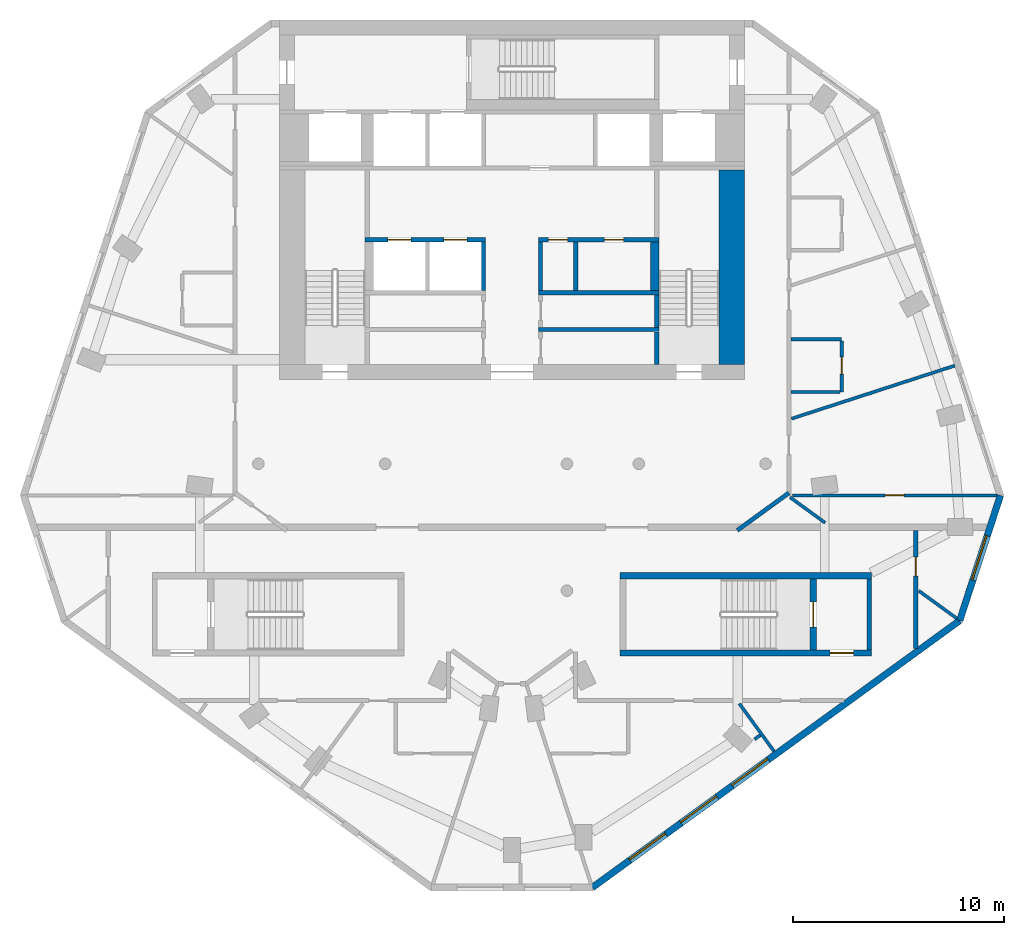
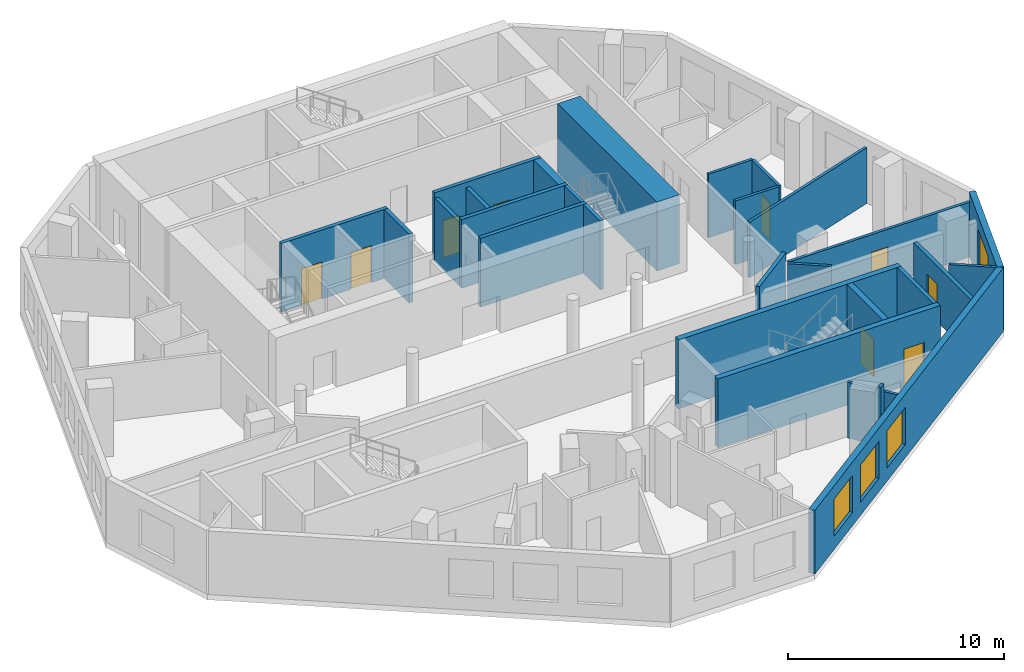
# One storey, part 4 of 8: 28 walls, 9 doors, 4 windows, 13 openings.
"""IFC4 building model written with IfcOpenShell, lengths in metres."""

from ifc_helpers import new_model, si_unit, direction, frame, frame_2d, origin, place, context, subcontext, project, spatial, rectangle, extrude, material, layer, layer_set, type_object, element, fill, save


model = new_model("IFC4")

# Units and contexts
model_context = context("Model", 3, precision=1e-05, world=origin(), true_north=direction((0.0, 1.0)))
body_context = subcontext(model_context, "Body", "Model", "MODEL_VIEW")
ifc_project = project(units=[si_unit("LENGTHUNIT", "METRE"), si_unit("AREAUNIT", "SQUARE_METRE"), si_unit("VOLUMEUNIT", "CUBIC_METRE"), si_unit("PLANEANGLEUNIT", "RADIAN"), si_unit("MASSUNIT", "GRAM", prefix="KILO")], contexts=[model_context])

# Site, building, storey
site_placement = place(None, origin())
site = spatial("IfcSite", under=ifc_project, at=site_placement, CompositionType="ELEMENT")
building_placement = place(site_placement, origin())
building = spatial("IfcBuilding", under=site, at=building_placement, Name="White Candle Pilgrim Tower", CompositionType="ELEMENT")
storey_placement = place(building_placement, frame((0.0, 0.0, 279.5)))
storey = spatial("IfcBuildingStorey", under=building, at=storey_placement, Name="L66", CompositionType="ELEMENT", Elevation=279.5)

# Walls
ifc_material_1 = material(Name="Concrete C50/60", Category="concrete")
ifc_layer_1 = layer(ifc_material_1, 0.199951171875)
ifc_layer_set_1 = layer_set([ifc_layer_1], Name="Core wall 200 mm Concrete C50/60")
wall_type_1 = type_object("IfcWallType", Name="Core wall 200 mm Concrete C50/60", PredefinedType="SHEAR", material=ifc_layer_set_1)
wall_1_placement = place(storey_placement, frame((86.89990234375, 58.199951171875, 0.0), z_axis=(0.0, 0.0, 1.0), x_axis=(0.0, 1.0, 0.0)))
element("IfcWall", 1, at=wall_1_placement, inside=storey, type_object=wall_type_1, Name="WL-L66-C08", PredefinedType="SHEAR", context=body_context, shape_type="SweptSolid", body=[
    extrude(rectangle(XDim=3.35009765625, YDim=0.199951171875, at=frame_2d((1.675048828125, 0.0))), origin(), (0.0, 0.0, 1.0), 3.89990234375),
])
ifc_material_2 = material(Name="Gypsum board on steel studs", Category="steel")
ifc_layer_2 = layer(ifc_material_2, 0.199951171875)
ifc_layer_set_2 = layer_set([ifc_layer_2], Name="Corridor wall 200 mm EI 45")
wall_type_2 = type_object("IfcWallType", Name="Corridor wall 200 mm EI 45", PredefinedType="PARTITIONING", material=ifc_layer_set_2)
wall_2_placement = place(storey_placement, frame((83.10009765625, 65.624267578125, 0.0), z_axis=(0.0, 0.0, 1.0), x_axis=(-0.809040258859, -0.587753230144, 0.0)))
element("IfcWall", 2, at=wall_2_placement, inside=storey, type_object=wall_type_2, Name="WL-L66-P005", PredefinedType="PARTITIONING", context=body_context, shape_type="SweptSolid", body=[
    extrude(rectangle(XDim=3.0185546875, YDim=0.199951171875, at=frame_2d((1.50927734375, 0.0))), origin(), (0.0, 0.0, 1.0), 3.60009765625),
])

# Wall, opening, door
wall_3_placement = place(storey_placement, frame((89.10009765625, 63.85009765625, 0.0), z_axis=(0.0, 0.0, 1.0), x_axis=(0.0, -1.0, 0.0)))
wall_3 = element("IfcWall", 3, at=wall_3_placement, inside=storey, type_object=wall_type_2, Name="WL-L66-P006", PredefinedType="PARTITIONING", context=body_context, shape_type="SweptSolid", body=[
    extrude(rectangle(XDim=5.58447265625, YDim=0.199951171875, at=frame_2d((2.792236328125, 0.0))), origin(), (0.0, 0.0, 1.0), 3.14990234375),
])
opening_1_placement = place(wall_3_placement, frame((1.264892578125, 0.0, 0.0)))
opening_1 = element("IfcOpeningElement", 4, at=opening_1_placement, cuts=wall_3, Name="Opening T20-122", PredefinedType="OPENING", context=body_context, shape_type="SweptSolid", body=[
    extrude(rectangle(XDim=0.89990234375, YDim=2.10009765625, at=frame_2d((0.449951171875, 1.050048828125))), frame((0.0, 0.10986328125, 0.0), z_axis=(0.0, -1.0, 0.0), x_axis=(1.0, 0.0, 0.0)), (0.0, 0.0, 1.0), 0.219970703125),
])
ifc_material_3 = material(Name="Steel door leaf", Category="steel")
door_type_1 = type_object("IfcDoorType", Name="Fire door 900 x 2100 EI 30", OperationType="NOTDEFINED", PredefinedType="DOOR", material=ifc_material_3)
door_1_placement = place(opening_1_placement, origin())
door_1 = element("IfcDoor", 5, at=door_1_placement, inside=storey, type_object=door_type_1, Name="Door T20-122", OperationType="SINGLE_SWING_RIGHT", OverallHeight=2.10009765625, OverallWidth=0.89990234375, PredefinedType="DOOR", context=body_context, shape_type="SweptSolid", body=[
    extrude(rectangle(XDim=0.89990234375, YDim=2.10009765625, at=frame_2d((0.449951171875, 1.050048828125))), frame((0.0, 0.02490234375, 0.0), z_axis=(0.0, -1.0, 0.0), x_axis=(1.0, 0.0, 0.0)), (0.0, 0.0, 1.0), 0.050048828125),
])
fill(opening_1, door_1)

# Wall, openings, windows
ifc_material_4 = material(Name="Precast concrete C40/50", Category="concrete")
ifc_layer_3 = layer(ifc_material_4, 0.320068359375)
ifc_layer_set_3 = layer_set([ifc_layer_3], Name="Facade wall EW1 precast concrete C40/50 pier wall with timber-lined reveals")
wall_type_3 = type_object("IfcWallType", Name="Facade wall EW1 precast concrete C40/50 pier wall with timber-lined reveals", PredefinedType="SOLIDWALL", material=ifc_layer_set_3)
wall_4_placement = place(storey_placement, frame((73.799560546875, 46.951416015625, 0.0), z_axis=(0.0, 0.0, 1.0), x_axis=(0.809016992157, 0.587785255346, 0.0)))
wall_4 = element("IfcWall", 6, at=wall_4_placement, inside=storey, type_object=wall_type_3, Name="Facade wall L66 SE", PredefinedType="SOLIDWALL", context=body_context, shape_type="SweptSolid", body=[
    extrude(rectangle(XDim=21.490478515625, YDim=0.320068359375, at=frame_2d((10.7451171875, 0.0))), origin(), (0.0, 0.0, 1.0), 3.60009765625),
])
opening_2_placement = place(wall_4_placement, frame((2.1953125, 0.0, 0.75)))
opening_2 = element("IfcOpeningElement", 7, at=opening_2_placement, cuts=wall_4, Name="Opening W3", PredefinedType="OPENING", context=body_context, shape_type="SweptSolid", body=[
    extrude(rectangle(XDim=2.10009765625, YDim=2.10009765625, at=frame_2d((1.050048828125, 1.050048828125))), frame((0.0, 0.169921875, 0.0), z_axis=(0.0, -1.0, 0.0), x_axis=(1.0, 0.0, 0.0)), (0.0, 0.0, 1.0), 0.340087890625),
])
opening_3_placement = place(wall_4_placement, frame((5.1953125, 0.0, 0.75)))
opening_3 = element("IfcOpeningElement", 8, at=opening_3_placement, cuts=wall_4, Name="Opening W3", PredefinedType="OPENING", context=body_context, shape_type="SweptSolid", body=[
    extrude(rectangle(XDim=2.10009765625, YDim=2.10009765625, at=frame_2d((1.050048828125, 1.050048828125))), frame((0.0, 0.169921875, 0.0), z_axis=(0.0, -1.0, 0.0), x_axis=(1.0, 0.0, 0.0)), (0.0, 0.0, 1.0), 0.340087890625),
])
opening_4_placement = place(wall_4_placement, frame((8.1953125, 0.0, 0.75)))
opening_4 = element("IfcOpeningElement", 9, at=opening_4_placement, cuts=wall_4, Name="Opening W3", PredefinedType="OPENING", context=body_context, shape_type="SweptSolid", body=[
    extrude(rectangle(XDim=2.10009765625, YDim=2.10009765625, at=frame_2d((1.050048828125, 1.050048828125))), frame((0.0, 0.169921875, 0.0), z_axis=(0.0, -1.0, 0.0), x_axis=(1.0, 0.0, 0.0)), (0.0, 0.0, 1.0), 0.340087890625),
])
ifc_material_5 = material(Name="Timber frame with triple glazing", Category="wood")
window_type_1 = type_object("IfcWindowType", Name="Window W3 2100x2100 timber frame triple glazing", PartitioningType="SINGLE_PANEL", PredefinedType="WINDOW", material=ifc_material_5)
window_1_placement = place(opening_2_placement, origin())
window_1 = element("IfcWindow", 10, at=window_1_placement, inside=storey, type_object=window_type_1, Name="Window W3 L66 SE 1", OverallHeight=2.10009765625, OverallWidth=2.10009765625, PartitioningType="SINGLE_PANEL", PredefinedType="WINDOW", context=body_context, shape_type="SweptSolid", body=[
    extrude(rectangle(XDim=2.10009765625, YDim=2.10009765625, at=frame_2d((1.050048828125, 1.050048828125))), frame((0.0, 0.070068359375, 0.0), z_axis=(0.0, -1.0, 0.0), x_axis=(1.0, 0.0, 0.0)), (0.0, 0.0, 1.0), 0.06005859375),
])
fill(opening_2, window_1)
window_2_placement = place(opening_3_placement, origin())
window_2 = element("IfcWindow", 11, at=window_2_placement, inside=storey, type_object=window_type_1, Name="Window W3 L66 SE 2", OverallHeight=2.10009765625, OverallWidth=2.10009765625, PartitioningType="SINGLE_PANEL", PredefinedType="WINDOW", context=body_context, shape_type="SweptSolid", body=[
    extrude(rectangle(XDim=2.10009765625, YDim=2.10009765625, at=frame_2d((1.050048828125, 1.050048828125))), frame((0.0, 0.070068359375, 0.0), z_axis=(0.0, -1.0, 0.0), x_axis=(1.0, 0.0, 0.0)), (0.0, 0.0, 1.0), 0.06005859375),
])
fill(opening_3, window_2)
window_3_placement = place(opening_4_placement, origin())
window_3 = element("IfcWindow", 12, at=window_3_placement, inside=storey, type_object=window_type_1, Name="Window W3 L66 SE 3", OverallHeight=2.10009765625, OverallWidth=2.10009765625, PartitioningType="SINGLE_PANEL", PredefinedType="WINDOW", context=body_context, shape_type="SweptSolid", body=[
    extrude(rectangle(XDim=2.10009765625, YDim=2.10009765625, at=frame_2d((1.050048828125, 1.050048828125))), frame((0.0, 0.070068359375, 0.0), z_axis=(0.0, -1.0, 0.0), x_axis=(1.0, 0.0, 0.0)), (0.0, 0.0, 1.0), 0.06005859375),
])
fill(opening_4, window_3)

# Wall, opening, window
wall_5_placement = place(storey_placement, frame((91.185791015625, 59.583251953125, 0.0), z_axis=(0.0, 0.0, 1.0), x_axis=(0.309021364513, 0.95105509634, 0.0)))
wall_5 = element("IfcWall", 13, at=wall_5_placement, inside=storey, type_object=wall_type_3, Name="Facade wall L66 E chamfer", PredefinedType="SOLIDWALL", context=body_context, shape_type="SweptSolid", body=[
    extrude(rectangle(XDim=6.22802734375, YDim=0.320068359375, at=frame_2d((3.114013671875, 0.0))), origin(), (0.0, 0.0, 1.0), 3.60009765625),
])
opening_5_placement = place(wall_5_placement, frame((2.013916015625, 0.0, 0.75)))
opening_5 = element("IfcOpeningElement", 14, at=opening_5_placement, cuts=wall_5, Name="Opening W4", PredefinedType="OPENING", context=body_context, shape_type="SweptSolid", body=[
    extrude(rectangle(XDim=2.199951171875, YDim=2.10009765625, at=frame_2d((1.10009765625, 1.050048828125))), frame((0.0, 0.169921875, 0.0), z_axis=(0.0, -1.0, 0.0), x_axis=(1.0, 0.0, 0.0)), (0.0, 0.0, 1.0), 0.340087890625),
])
window_type_2 = type_object("IfcWindowType", Name="Window W4 2200x2100 timber frame triple glazing", PartitioningType="SINGLE_PANEL", PredefinedType="WINDOW", material=ifc_material_5)
window_4_placement = place(opening_5_placement, origin())
window_4 = element("IfcWindow", 15, at=window_4_placement, inside=storey, type_object=window_type_2, Name="Window W4 L66 E chamfer 1", OverallHeight=2.10009765625, OverallWidth=2.199951171875, PartitioningType="SINGLE_PANEL", PredefinedType="WINDOW", context=body_context, shape_type="SweptSolid", body=[
    extrude(rectangle(XDim=2.199951171875, YDim=2.10009765625, at=frame_2d((1.10009765625, 1.050048828125))), frame((0.0, 0.070068359375, 0.0), z_axis=(0.0, -1.0, 0.0), x_axis=(1.0, 0.0, 0.0)), (0.0, 0.0, 1.0), 0.06005859375),
])
fill(opening_5, window_4)

# Walls
ifc_layer_4 = layer(ifc_material_2, 0.199951171875)
ifc_layer_set_4 = layer_set([ifc_layer_4], Name="Lobby wall 200 mm EI 60")
wall_type_4 = type_object("IfcWallType", Name="Lobby wall 200 mm EI 60", PredefinedType="PARTITIONING", material=ifc_layer_set_4)
for number, where, z_axis, x_axis, name in (
    (16, (71.35009765625, 75.199951171875, 0.0), (0.0, 0.0, 1.0), (0.0, 1.0, 0.0), "WL-L66-C29"),
    (17, (73.02001953125, 75.199951171875, 0.0), (0.0, 0.0, 1.0), (0.0, 1.0, 0.0), "WL-L66-C30"),
):
    element("IfcWall", number, at=place(storey_placement, frame(where, z_axis=z_axis, x_axis=x_axis)), inside=storey, type_object=wall_type_4, Name=name, PredefinedType="PARTITIONING", context=body_context, shape_type="SweptSolid", body=[
        extrude(rectangle(XDim=2.300048828125, YDim=0.199951171875, at=frame_2d((1.14990234375, 0.0))), origin(), (0.0, 0.0, 1.0), 3.60009765625),
    ])
ifc_layer_5 = layer(ifc_material_2, 0.14990234375)
ifc_layer_set_5 = layer_set([ifc_layer_5], Name="Partition 150 mm EI 60")
wall_type_5 = type_object("IfcWallType", Name="Partition 150 mm EI 60", PredefinedType="PARTITIONING", material=ifc_layer_set_5)
wall_6_placement = place(storey_placement, frame((91.0498046875, 59.68212890625, 0.0), z_axis=(0.0, 0.0, 1.0), x_axis=(-0.809043446495, 0.58774884235, 0.0)))
element("IfcWall", 18, at=wall_6_placement, inside=storey, type_object=wall_type_5, Name="WL-L66-P021", PredefinedType="PARTITIONING", context=body_context, shape_type="SweptSolid", body=[
    extrude(rectangle(XDim=2.23193359375, YDim=0.14990234375, at=frame_2d((1.115966796875, 0.0))), origin(), (0.0, 0.0, 1.0), 3.60009765625),
])
wall_7_placement = place(storey_placement, frame((84.816650390625, 64.210693359375, 0.0), z_axis=(0.0, 0.0, 1.0), x_axis=(-0.808988095345, 0.587825026338, 0.0)))
element("IfcWall", 19, at=wall_7_placement, inside=storey, type_object=wall_type_5, Name="WL-L66-P022", PredefinedType="PARTITIONING", context=body_context, shape_type="SweptSolid", body=[
    extrude(rectangle(XDim=2.05224609375, YDim=0.14990234375, at=frame_2d((1.026123046875, 0.0))), origin(), (0.0, 0.0, 1.0), 3.10009765625),
])

# Wall, opening, door
wall_8_placement = place(storey_placement, frame((92.94189453125, 65.506103515625, 0.0), z_axis=(0.0, 0.0, 1.0), x_axis=(-1.0, 0.0, 0.0)))
wall_8 = element("IfcWall", 20, at=wall_8_placement, inside=storey, type_object=wall_type_5, Name="WL-L66-P023", PredefinedType="PARTITIONING", context=body_context, shape_type="SweptSolid", body=[
    extrude(rectangle(XDim=9.677490234375, YDim=0.14990234375, at=frame_2d((4.8388671875, 0.0))), origin(), (0.0, 0.0, 1.0), 3.10009765625),
])
opening_6_placement = place(wall_8_placement, frame((4.388916015625, 0.0, 0.0)))
opening_6 = element("IfcOpeningElement", 21, at=opening_6_placement, cuts=wall_8, Name="Opening T20-121", PredefinedType="OPENING", context=body_context, shape_type="SweptSolid", body=[
    extrude(rectangle(XDim=0.89990234375, YDim=2.10009765625, at=frame_2d((0.449951171875, 1.050048828125))), frame((0.0, 0.0849609375, 0.0), z_axis=(0.0, -1.0, 0.0), x_axis=(1.0, 0.0, 0.0)), (0.0, 0.0, 1.0), 0.169921875),
])
door_2_placement = place(opening_6_placement, origin())
door_2 = element("IfcDoor", 22, at=door_2_placement, inside=storey, type_object=door_type_1, Name="Door T20-121", OperationType="SINGLE_SWING_LEFT", OverallHeight=2.10009765625, OverallWidth=0.89990234375, PredefinedType="DOOR", context=body_context, shape_type="SweptSolid", body=[
    extrude(rectangle(XDim=0.89990234375, YDim=2.10009765625, at=frame_2d((0.449951171875, 1.050048828125))), frame((0.0, 0.02490234375, 0.0), z_axis=(0.0, -1.0, 0.0), x_axis=(1.0, 0.0, 0.0)), (0.0, 0.0, 1.0), 0.050048828125),
])
fill(opening_6, door_2)

# Walls
wall_9_placement = place(storey_placement, frame((82.398681640625, 53.396728515625, 0.0), z_axis=(0.0, 0.0, 1.0), x_axis=(-0.587760958755, 0.809034644106, 0.0)))
element("IfcWall", 23, at=wall_9_placement, inside=storey, type_object=wall_type_5, Name="WL-L66-P033", PredefinedType="PARTITIONING", context=body_context, shape_type="SweptSolid", body=[
    extrude(rectangle(XDim=2.79248046875, YDim=0.14990234375, at=frame_2d((1.396240234375, 0.0))), origin(), (0.0, 0.0, 1.0), 3.14990234375),
])
wall_10_placement = place(storey_placement, frame((90.947265625, 71.6455078125, 0.0), z_axis=(0.0, 0.0, 1.0), x_axis=(-0.951063666358, -0.308994987878, 0.0)))
element("IfcWall", 24, at=wall_10_placement, inside=storey, type_object=wall_type_5, Name="WL-L66-P036", PredefinedType="PARTITIONING", context=body_context, shape_type="SweptSolid", body=[
    extrude(rectangle(XDim=8.12158203125, YDim=0.14990234375, at=frame_2d((4.060791015625, 0.0))), origin(), (0.0, 0.0, 1.0), 3.14990234375),
])
wall_11_placement = place(storey_placement, frame((83.199951171875, 72.89599609375, 0.0), z_axis=(0.0, 0.0, 1.0), x_axis=(1.0, 0.0, 0.0)))
element("IfcWall", 25, at=wall_11_placement, inside=storey, type_object=wall_type_5, Name="WL-L66-P038", PredefinedType="PARTITIONING", context=body_context, shape_type="SweptSolid", body=[
    extrude(rectangle(XDim=2.400146484375, YDim=0.14990234375, at=frame_2d((1.2001953125, 0.0))), origin(), (0.0, 0.0, 1.0), 3.60009765625),
])

# Wall, opening, door
wall_12_placement = place(storey_placement, frame((85.60009765625, 70.39599609375, 0.0), z_axis=(0.0, 0.0, 1.0), x_axis=(0.0, 1.0, 0.0)))
wall_12 = element("IfcWall", 26, at=wall_12_placement, inside=storey, type_object=wall_type_5, Name="WL-L66-P039", PredefinedType="PARTITIONING", context=body_context, shape_type="SweptSolid", body=[
    extrude(rectangle(XDim=2.4248046875, YDim=0.14990234375, at=frame_2d((1.21240234375, 0.0))), origin(), (0.0, 0.0, 1.0), 3.60009765625),
])
opening_7_placement = place(wall_12_placement, frame((0.85009765625, 0.0, 0.0)))
opening_7 = element("IfcOpeningElement", 27, at=opening_7_placement, cuts=wall_12, Name="Opening T20-109", PredefinedType="OPENING", context=body_context, shape_type="SweptSolid", body=[
    extrude(rectangle(XDim=0.800048828125, YDim=2.10009765625, at=frame_2d((0.39990234375, 1.050048828125))), frame((0.0, 0.0849609375, 0.0), z_axis=(0.0, -1.0, 0.0), x_axis=(1.0, 0.0, 0.0)), (0.0, 0.0, 1.0), 0.169921875),
])
door_type_2 = type_object("IfcDoorType", Name="Fire door 800 x 2100 EI 30", OperationType="NOTDEFINED", PredefinedType="DOOR", material=ifc_material_3)
door_3_placement = place(opening_7_placement, frame((0.800048828125, 0.0, 0.0), z_axis=(0.0, 0.0, 1.0), x_axis=(-1.0, 0.0, 0.0)))
door_3 = element("IfcDoor", 28, at=door_3_placement, inside=storey, type_object=door_type_2, Name="Door T20-109", OperationType="SINGLE_SWING_RIGHT", OverallHeight=2.10009765625, OverallWidth=0.800048828125, PredefinedType="DOOR", context=body_context, shape_type="SweptSolid", body=[
    extrude(rectangle(XDim=0.800048828125, YDim=2.10009765625, at=frame_2d((0.39990234375, 1.050048828125))), frame((0.0, 0.02490234375, 0.0), z_axis=(0.0, -1.0, 0.0), x_axis=(1.0, 0.0, 0.0)), (0.0, 0.0, 1.0), 0.050048828125),
])
fill(opening_7, door_3)

# Walls
wall_13_placement = place(storey_placement, frame((83.199951171875, 70.39599609375, 0.0), z_axis=(0.0, 0.0, 1.0), x_axis=(1.0, 0.0, 0.0)))
element("IfcWall", 29, at=wall_13_placement, inside=storey, type_object=wall_type_5, Name="WL-L66-P040", PredefinedType="PARTITIONING", context=body_context, shape_type="SweptSolid", body=[
    extrude(rectangle(XDim=2.324951171875, YDim=0.14990234375, at=frame_2d((1.16259765625, 0.0))), origin(), (0.0, 0.0, 1.0), 3.60009765625),
])
wall_14_placement = place(storey_placement, frame((81.474609375, 53.966064453125, 0.0), z_axis=(0.0, 0.0, 1.0), x_axis=(0.808923438647, 0.587913999159, 0.0)))
element("IfcWall", 30, at=wall_14_placement, inside=storey, type_object=wall_type_5, Name="WL-L66-P045", PredefinedType="PARTITIONING", context=body_context, shape_type="SweptSolid", body=[
    extrude(rectangle(XDim=0.338134765625, YDim=0.14990234375, at=frame_2d((0.1689453125, 0.0))), origin(), (0.0, 0.0, 1.0), 3.60009765625),
])
ifc_layer_6 = layer(ifc_material_1, 0.199951171875)
ifc_layer_set_6 = layer_set([ifc_layer_6], Name="Shaft wall 200 mm Concrete C50/60")
wall_type_6 = type_object("IfcWallType", Name="Shaft wall 200 mm Concrete C50/60", PredefinedType="SHEAR", material=ifc_layer_set_6)
wall_15_placement = place(storey_placement, frame((68.64990234375, 75.199951171875, 0.0), z_axis=(0.0, 0.0, 1.0), x_axis=(0.0, 1.0, 0.0)))
element("IfcWall", 31, at=wall_15_placement, inside=storey, type_object=wall_type_6, Name="WL-L66-C28", PredefinedType="SHEAR", context=body_context, shape_type="SweptSolid", body=[
    extrude(rectangle(XDim=2.300048828125, YDim=0.199951171875, at=frame_2d((1.14990234375, 0.0))), origin(), (0.0, 0.0, 1.0), 3.89990234375),
])
ifc_layer_7 = layer(ifc_material_1, 1.199951171875)
ifc_layer_set_7 = layer_set([ifc_layer_7], Name="Stair shaft wall 1200 mm Concrete C50/60")
wall_type_7 = type_object("IfcWallType", Name="Stair shaft wall 1200 mm Concrete C50/60", PredefinedType="SHEAR", material=ifc_layer_set_7)
wall_16_placement = place(storey_placement, frame((80.39990234375, 71.699951171875, 0.0), z_axis=(0.0, 0.0, 1.0), x_axis=(0.0, 1.0, 0.0)))
element("IfcWall", 32, at=wall_16_placement, inside=storey, type_object=wall_type_7, Name="WL-L66-C17", PredefinedType="SHEAR", context=body_context, shape_type="SweptSolid", body=[
    extrude(rectangle(XDim=9.199951171875, YDim=1.199951171875, at=frame_2d((4.60009765625, 0.0))), origin(), (0.0, 0.0, 1.0), 3.89990234375),
])
ifc_layer_8 = layer(ifc_material_1, 0.199951171875)
ifc_layer_set_8 = layer_set([ifc_layer_8], Name="Stair shaft wall 200 mm Concrete C50/60")
wall_type_8 = type_object("IfcWallType", Name="Stair shaft wall 200 mm Concrete C50/60", PredefinedType="SHEAR", material=ifc_layer_set_8)
wall_17_placement = place(storey_placement, frame((76.85009765625, 71.699951171875, 0.0), z_axis=(0.0, 0.0, 1.0), x_axis=(0.0, 1.0, 0.0)))
element("IfcWall", 33, at=wall_17_placement, inside=storey, type_object=wall_type_8, Name="WL-L66-C16", PredefinedType="SHEAR", context=body_context, shape_type="SweptSolid", body=[
    extrude(rectangle(XDim=1.550048828125, YDim=0.199951171875, at=frame_2d((0.77490234375, 0.0))), origin(), (0.0, 0.0, 1.0), 3.89990234375),
])
wall_18_placement = place(storey_placement, frame((71.25, 73.35009765625, 0.0), z_axis=(0.0, 0.0, 1.0), x_axis=(1.0, 0.0, 0.0)))
element("IfcWall", 34, at=wall_18_placement, inside=storey, type_object=wall_type_8, Name="WL-L66-C19", PredefinedType="SHEAR", context=body_context, shape_type="SweptSolid", body=[
    extrude(rectangle(XDim=5.699951171875, YDim=0.199951171875, at=frame_2d((2.85009765625, 0.0))), origin(), (0.0, 0.0, 1.0), 3.89990234375),
])
wall_19_placement = place(storey_placement, frame((76.85009765625, 73.449951171875, 0.0), z_axis=(0.0, 0.0, 1.0), x_axis=(0.0, 1.0, 0.0)))
element("IfcWall", 35, at=wall_19_placement, inside=storey, type_object=wall_type_8, Name="WL-L66-C23", PredefinedType="SHEAR", context=body_context, shape_type="SweptSolid", body=[
    extrude(rectangle(XDim=1.550048828125, YDim=0.199951171875, at=frame_2d((0.77490234375, 0.0))), origin(), (0.0, 0.0, 1.0), 3.89990234375),
])
wall_20_placement = place(storey_placement, frame((71.25, 75.10009765625, 0.0), z_axis=(0.0, 0.0, 1.0), x_axis=(1.0, 0.0, 0.0)))
element("IfcWall", 36, at=wall_20_placement, inside=storey, type_object=wall_type_8, Name="WL-L66-C25", PredefinedType="SHEAR", context=body_context, shape_type="SweptSolid", body=[
    extrude(rectangle(XDim=5.699951171875, YDim=0.199951171875, at=frame_2d((2.85009765625, 0.0))), origin(), (0.0, 0.0, 1.0), 3.89990234375),
])

# Wall, openings, doors
wall_21_placement = place(storey_placement, frame((63.050048828125, 77.60009765625, 0.0), z_axis=(0.0, 0.0, 1.0), x_axis=(1.0, 0.0, 0.0)))
wall_21 = element("IfcWall", 37, at=wall_21_placement, inside=storey, type_object=wall_type_8, Name="WL-L66-C32", PredefinedType="SHEAR", context=body_context, shape_type="SweptSolid", body=[
    extrude(rectangle(XDim=5.699951171875, YDim=0.199951171875, at=frame_2d((2.85009765625, 0.0))), origin(), (0.0, 0.0, 1.0), 3.89990234375),
])
opening_8_placement = place(wall_21_placement, frame((1.074951171875, 0.0, 0.0)))
opening_8 = element("IfcOpeningElement", 38, at=opening_8_placement, cuts=wall_21, Name="Opening T20-015", PredefinedType="OPENING", context=body_context, shape_type="SweptSolid", body=[
    extrude(rectangle(XDim=1.10009765625, YDim=2.10009765625, at=frame_2d((0.550048828125, 1.050048828125))), frame((0.0, 0.10986328125, 0.0), z_axis=(0.0, -1.0, 0.0), x_axis=(1.0, 0.0, 0.0)), (0.0, 0.0, 1.0), 0.219970703125),
])
opening_9_placement = place(wall_21_placement, frame((3.72509765625, 0.0, 0.0)))
opening_9 = element("IfcOpeningElement", 39, at=opening_9_placement, cuts=wall_21, Name="Opening T20-016", PredefinedType="OPENING", context=body_context, shape_type="SweptSolid", body=[
    extrude(rectangle(XDim=1.10009765625, YDim=2.10009765625, at=frame_2d((0.550048828125, 1.050048828125))), frame((0.0, 0.10986328125, 0.0), z_axis=(0.0, -1.0, 0.0), x_axis=(1.0, 0.0, 0.0)), (0.0, 0.0, 1.0), 0.219970703125),
])
ifc_material_6 = material(Name="Stainless steel", Category="steel")
door_type_3 = type_object("IfcDoorType", Name="Lift landing door 1100 x 2100 E 60", OperationType="DOUBLE_DOOR_SLIDING", PredefinedType="DOOR", material=ifc_material_6)
door_4_placement = place(opening_8_placement, origin())
door_4 = element("IfcDoor", 40, at=door_4_placement, inside=storey, type_object=door_type_3, Name="Door T20-015", OperationType="DOUBLE_DOOR_SLIDING", OverallHeight=2.10009765625, OverallWidth=1.10009765625, PredefinedType="DOOR", context=body_context, shape_type="SweptSolid", body=[
    extrude(rectangle(XDim=1.10009765625, YDim=2.10009765625, at=frame_2d((0.550048828125, 1.050048828125))), frame((0.0, 0.02490234375, 0.0), z_axis=(0.0, -1.0, 0.0), x_axis=(1.0, 0.0, 0.0)), (0.0, 0.0, 1.0), 0.050048828125),
])
fill(opening_8, door_4)
door_5_placement = place(opening_9_placement, origin())
door_5 = element("IfcDoor", 41, at=door_5_placement, inside=storey, type_object=door_type_3, Name="Door T20-016", OperationType="DOUBLE_DOOR_SLIDING", OverallHeight=2.10009765625, OverallWidth=1.10009765625, PredefinedType="DOOR", context=body_context, shape_type="SweptSolid", body=[
    extrude(rectangle(XDim=1.10009765625, YDim=2.10009765625, at=frame_2d((0.550048828125, 1.050048828125))), frame((0.0, 0.02490234375, 0.0), z_axis=(0.0, -1.0, 0.0), x_axis=(1.0, 0.0, 0.0)), (0.0, 0.0, 1.0), 0.050048828125),
])
fill(opening_9, door_5)

wall_22_placement = place(storey_placement, frame((71.25, 77.60009765625, 0.0), z_axis=(0.0, 0.0, 1.0), x_axis=(1.0, 0.0, 0.0)))
wall_22 = element("IfcWall", 42, at=wall_22_placement, inside=storey, type_object=wall_type_8, Name="WL-L66-C33", PredefinedType="SHEAR", context=body_context, shape_type="SweptSolid", body=[
    extrude(rectangle(XDim=5.699951171875, YDim=0.199951171875, at=frame_2d((2.85009765625, 0.0))), origin(), (0.0, 0.0, 1.0), 3.89990234375),
])
opening_10_placement = place(wall_22_placement, frame((0.485107421875, 0.0, 0.0)))
opening_10 = element("IfcOpeningElement", 43, at=opening_10_placement, cuts=wall_22, Name="Opening T20-021", PredefinedType="OPENING", context=body_context, shape_type="SweptSolid", body=[
    extrude(rectangle(XDim=0.89990234375, YDim=2.10009765625, at=frame_2d((0.449951171875, 1.050048828125))), frame((0.0, 0.10986328125, 0.0), z_axis=(0.0, -1.0, 0.0), x_axis=(1.0, 0.0, 0.0)), (0.0, 0.0, 1.0), 0.219970703125),
])
opening_11_placement = place(wall_22_placement, frame((3.135009765625, 0.0, 0.0)))
opening_11 = element("IfcOpeningElement", 44, at=opening_11_placement, cuts=wall_22, Name="Opening T20-022", PredefinedType="OPENING", context=body_context, shape_type="SweptSolid", body=[
    extrude(rectangle(XDim=0.89990234375, YDim=2.10009765625, at=frame_2d((0.449951171875, 1.050048828125))), frame((0.0, 0.10986328125, 0.0), z_axis=(0.0, -1.0, 0.0), x_axis=(1.0, 0.0, 0.0)), (0.0, 0.0, 1.0), 0.219970703125),
])
door_6_placement = place(opening_10_placement, origin())
door_6 = element("IfcDoor", 45, at=door_6_placement, inside=storey, type_object=door_type_1, Name="Door T20-021", OperationType="SINGLE_SWING_LEFT", OverallHeight=2.10009765625, OverallWidth=0.89990234375, PredefinedType="DOOR", context=body_context, shape_type="SweptSolid", body=[
    extrude(rectangle(XDim=0.89990234375, YDim=2.10009765625, at=frame_2d((0.449951171875, 1.050048828125))), frame((0.0, 0.02490234375, 0.0), z_axis=(0.0, -1.0, 0.0), x_axis=(1.0, 0.0, 0.0)), (0.0, 0.0, 1.0), 0.050048828125),
])
fill(opening_10, door_6)
door_7_placement = place(opening_11_placement, origin())
door_7 = element("IfcDoor", 46, at=door_7_placement, inside=storey, type_object=door_type_1, Name="Door T20-022", OperationType="SINGLE_SWING_RIGHT", OverallHeight=2.10009765625, OverallWidth=0.89990234375, PredefinedType="DOOR", context=body_context, shape_type="SweptSolid", body=[
    extrude(rectangle(XDim=0.89990234375, YDim=2.10009765625, at=frame_2d((0.449951171875, 1.050048828125))), frame((0.0, 0.02490234375, 0.0), z_axis=(0.0, -1.0, 0.0), x_axis=(1.0, 0.0, 0.0)), (0.0, 0.0, 1.0), 0.050048828125),
])
fill(opening_11, door_7)

# Wall, opening, door
ifc_layer_9 = layer(ifc_material_1, 0.300048828125)
ifc_layer_set_9 = layer_set([ifc_layer_9], Name="Stair shaft wall 300 mm Concrete C50/60")
wall_type_9 = type_object("IfcWallType", Name="Stair shaft wall 300 mm Concrete C50/60", PredefinedType="SHEAR", material=ifc_layer_set_9)
wall_23_placement = place(storey_placement, frame((75.10009765625, 58.050048828125, 0.0), z_axis=(0.0, 0.0, 1.0), x_axis=(1.0, 0.0, 0.0)))
wall_23 = element("IfcWall", 47, at=wall_23_placement, inside=storey, type_object=wall_type_9, Name="WL-L66-C02", PredefinedType="SHEAR", context=body_context, shape_type="SweptSolid", body=[
    extrude(rectangle(XDim=11.89990234375, YDim=0.300048828125, at=frame_2d((5.949951171875, 0.0))), origin(), (0.0, 0.0, 1.0), 3.89990234375),
])
opening_12_placement = place(wall_23_placement, frame((9.949951171875, 0.0, 0.0)))
opening_12 = element("IfcOpeningElement", 48, at=opening_12_placement, cuts=wall_23, Name="Opening T20-013", PredefinedType="OPENING", context=body_context, shape_type="SweptSolid", body=[
    extrude(rectangle(XDim=1.10009765625, YDim=2.10009765625, at=frame_2d((0.550048828125, 1.050048828125))), frame((0.0, 0.159912109375, 0.0), z_axis=(0.0, -1.0, 0.0), x_axis=(1.0, 0.0, 0.0)), (0.0, 0.0, 1.0), 0.320068359375),
])
door_type_4 = type_object("IfcDoorType", Name="Fire door 1100 x 2100 EI 60", OperationType="NOTDEFINED", PredefinedType="DOOR", material=ifc_material_3)
door_8_placement = place(opening_12_placement, origin())
door_8 = element("IfcDoor", 49, at=door_8_placement, inside=storey, type_object=door_type_4, Name="Door T20-013", OperationType="SINGLE_SWING_LEFT", OverallHeight=2.10009765625, OverallWidth=1.10009765625, PredefinedType="DOOR", context=body_context, shape_type="SweptSolid", body=[
    extrude(rectangle(XDim=1.10009765625, YDim=2.10009765625, at=frame_2d((0.550048828125, 1.050048828125))), frame((0.0, 0.02490234375, 0.0), z_axis=(0.0, -1.0, 0.0), x_axis=(1.0, 0.0, 0.0)), (0.0, 0.0, 1.0), 0.050048828125),
])
fill(opening_12, door_8)

wall_24_placement = place(storey_placement, frame((84.25, 58.199951171875, 0.0), z_axis=(0.0, 0.0, 1.0), x_axis=(0.0, 1.0, 0.0)))
wall_24 = element("IfcWall", 50, at=wall_24_placement, inside=storey, type_object=wall_type_9, Name="WL-L66-C07", PredefinedType="SHEAR", context=body_context, shape_type="SweptSolid", body=[
    extrude(rectangle(XDim=3.35009765625, YDim=0.300048828125, at=frame_2d((1.675048828125, 0.0))), origin(), (0.0, 0.0, 1.0), 3.89990234375),
])
opening_13_placement = place(wall_24_placement, frame((1.074951171875, 0.0, 0.0)))
opening_13 = element("IfcOpeningElement", 51, at=opening_13_placement, cuts=wall_24, Name="Opening T20-014", PredefinedType="OPENING", context=body_context, shape_type="SweptSolid", body=[
    extrude(rectangle(XDim=1.199951171875, YDim=2.10009765625, at=frame_2d((0.60009765625, 1.050048828125))), frame((0.0, 0.159912109375, 0.0), z_axis=(0.0, -1.0, 0.0), x_axis=(1.0, 0.0, 0.0)), (0.0, 0.0, 1.0), 0.320068359375),
])
door_type_5 = type_object("IfcDoorType", Name="Fire door 1200 x 2100 EI 60", OperationType="NOTDEFINED", PredefinedType="DOOR", material=ifc_material_3)
door_9_placement = place(opening_13_placement, origin())
door_9 = element("IfcDoor", 52, at=door_9_placement, inside=storey, type_object=door_type_5, Name="Door T20-014", OperationType="SINGLE_SWING_RIGHT", OverallHeight=2.10009765625, OverallWidth=1.199951171875, PredefinedType="DOOR", context=body_context, shape_type="SweptSolid", body=[
    extrude(rectangle(XDim=1.199951171875, YDim=2.10009765625, at=frame_2d((0.60009765625, 1.050048828125))), frame((0.0, 0.02490234375, 0.0), z_axis=(0.0, -1.0, 0.0), x_axis=(1.0, 0.0, 0.0)), (0.0, 0.0, 1.0), 0.050048828125),
])
fill(opening_13, door_9)

# Walls
wall_25_placement = place(storey_placement, frame((75.10009765625, 61.699951171875, 0.0), z_axis=(0.0, 0.0, 1.0), x_axis=(1.0, 0.0, 0.0)))
element("IfcWall", 53, at=wall_25_placement, inside=storey, type_object=wall_type_9, Name="WL-L66-C10", PredefinedType="SHEAR", context=body_context, shape_type="SweptSolid", body=[
    extrude(rectangle(XDim=11.89990234375, YDim=0.300048828125, at=frame_2d((5.949951171875, 0.0))), origin(), (0.0, 0.0, 1.0), 3.89990234375),
])
ifc_layer_10 = layer(ifc_material_1, 0.39990234375)
ifc_layer_set_10 = layer_set([ifc_layer_10], Name="Stair shaft wall 400 mm Concrete C50/60")
wall_type_10 = type_object("IfcWallType", Name="Stair shaft wall 400 mm Concrete C50/60", PredefinedType="SHEAR", material=ifc_layer_set_10)
wall_26_placement = place(storey_placement, frame((76.75, 75.199951171875, 0.0), z_axis=(0.0, 0.0, 1.0), x_axis=(0.0, 1.0, 0.0)))
element("IfcWall", 54, at=wall_26_placement, inside=storey, type_object=wall_type_10, Name="WL-L66-C31", PredefinedType="SHEAR", context=body_context, shape_type="SweptSolid", body=[
    extrude(rectangle(XDim=2.300048828125, YDim=0.39990234375, at=frame_2d((1.14990234375, 0.0))), origin(), (0.0, 0.0, 1.0), 3.89990234375),
])

save(model, "model.ifc")
